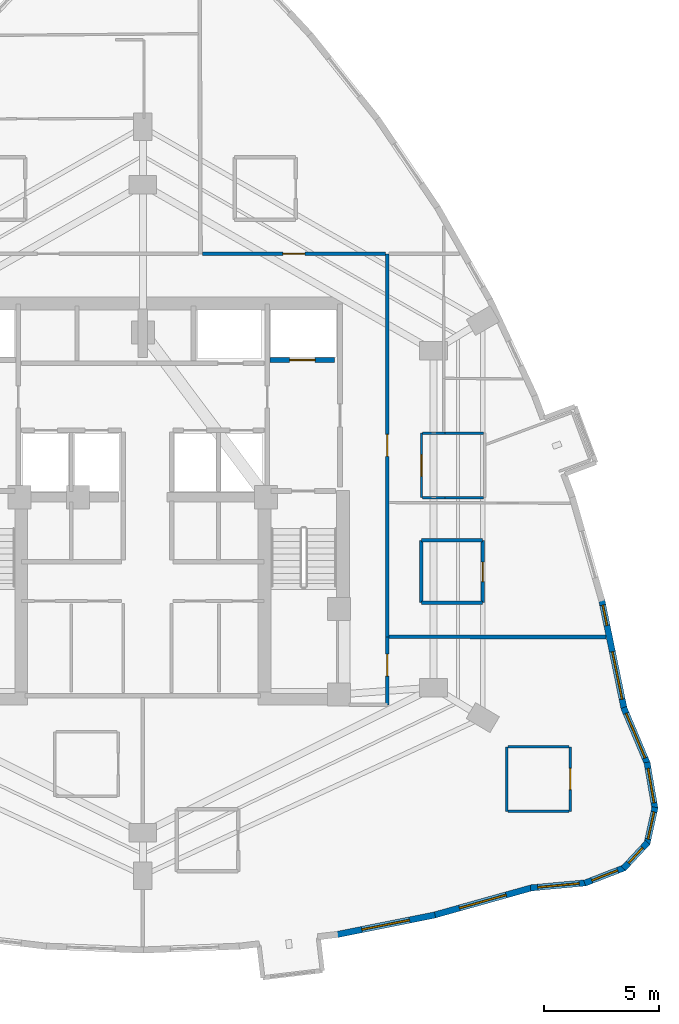
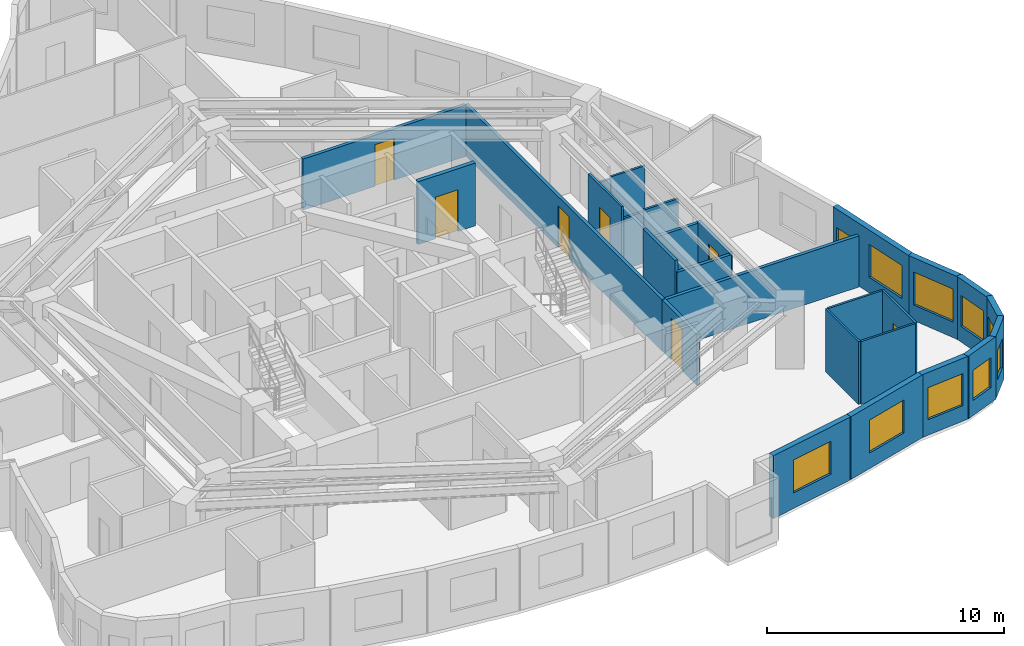
# One storey, part 8 of 11: 27 walls, 10 windows, 7 doors, 17 openings.
"""IFC4 building model written with IfcOpenShell, lengths in metres."""

from ifc_helpers import new_model, si_unit, direction, frame, frame_2d, origin, place, context, subcontext, project, spatial, rectangle, extrude, material, layer, layer_set, type_object, element, fill, save


model = new_model("IFC4")

# Units and contexts
model_context = context("Model", 3, precision=1e-05, world=origin(), true_north=direction((0.0, 1.0)))
body_context = subcontext(model_context, "Body", "Model", "MODEL_VIEW")
ifc_project = project(units=[si_unit("LENGTHUNIT", "METRE"), si_unit("AREAUNIT", "SQUARE_METRE"), si_unit("VOLUMEUNIT", "CUBIC_METRE"), si_unit("PLANEANGLEUNIT", "RADIAN"), si_unit("MASSUNIT", "GRAM", prefix="KILO")], contexts=[model_context])

# Site, building, storey
site_placement = place(None, origin())
site = spatial("IfcSite", under=ifc_project, at=site_placement, CompositionType="ELEMENT")
building_placement = place(site_placement, origin())
building = spatial("IfcBuilding", under=site, at=building_placement, Name="Miruveldt Soraemaru", CompositionType="ELEMENT")
storey_placement = place(building_placement, frame((0.0, 0.0, 100.39990234375)))
storey = spatial("IfcBuildingStorey", under=building, at=storey_placement, Name="L27", CompositionType="ELEMENT", Elevation=100.39990234375)

# Wall, opening, window
ifc_material_1 = material(Name="Precast concrete C45/55 (45 MPa)", Category="concrete")
ifc_layer_1 = layer(ifc_material_1, 0.27001953125, Name="Precast concrete C45/55 (45 MPa)", Category="concrete")
ifc_layer_set_1 = layer_set([ifc_layer_1], Name="Precast concrete C45/55 (45 MPa)")
wall_type_1 = type_object("IfcWallType", Name="WALL-EXT-PC270", PredefinedType="SOLIDWALL", material=ifc_layer_set_1)
wall_1_placement = place(storey_placement, frame((52.388671875, 25.086181640625, 0.0), z_axis=(0.0, 0.0, 1.0), x_axis=(0.980572069577, 0.196159160801, 0.0)))
wall_1 = element("IfcWall", 1, at=wall_1_placement, inside=storey, type_object=wall_type_1, Name="L27 Precast Concrete Facade Wall 27", PredefinedType="SOLIDWALL", context=body_context, shape_type="SweptSolid", body=[
    extrude(rectangle(XDim=4.36474609375, YDim=0.27001953125, at=frame_2d((2.182373046875, 0.0))), origin(), (0.0, 0.0, 1.0), 3.235107421875),
])
opening_1_placement = place(wall_1_placement, frame((1.132080078125, 0.0, 0.800048828125)))
opening_1 = element("IfcOpeningElement", 2, at=opening_1_placement, cuts=wall_1, Name="Opening WN-1", PredefinedType="OPENING", context=body_context, shape_type="SweptSolid", body=[
    extrude(rectangle(XDim=2.10009765625, YDim=1.699951171875, at=frame_2d((1.050048828125, 0.85009765625))), frame((0.0, 0.14501953125, 0.0), z_axis=(0.0, -1.0, 0.0), x_axis=(1.0, 0.0, 0.0)), (0.0, 0.0, 1.0), 0.2900390625),
])
ifc_material_2 = material(Name="Triple low-e insulated glazing", Category="glass")
window_type_1 = type_object("IfcWindowType", Name="WIN-PUNCH-2100x1700", PartitioningType="SINGLE_PANEL", PredefinedType="WINDOW", material=ifc_material_2)
window_1_placement = place(opening_1_placement, origin())
window_1 = element("IfcWindow", 3, at=window_1_placement, inside=storey, type_object=window_type_1, Name="L27 Punched Triple-Glazed Window 27.1", OverallHeight=1.699951171875, OverallWidth=2.10009765625, PartitioningType="SINGLE_PANEL", PredefinedType="WINDOW", context=body_context, shape_type="SweptSolid", body=[
    extrude(rectangle(XDim=2.10009765625, YDim=1.699951171875, at=frame_2d((1.050048828125, 0.85009765625))), frame((0.0, 0.030029296875, 0.0), z_axis=(0.0, -1.0, 0.0), x_axis=(1.0, 0.0, 0.0)), (0.0, 0.0, 1.0), 0.06005859375),
])
fill(opening_1, window_1)

wall_2_placement = place(storey_placement, frame((56.6005859375, 25.926025390625, 0.0), z_axis=(0.0, 0.0, 1.0), x_axis=(0.962968014134, 0.269615659327, 0.0)))
wall_2 = element("IfcWall", 4, at=wall_2_placement, inside=storey, type_object=wall_type_1, Name="L27 Precast Concrete Facade Wall 28", PredefinedType="SOLIDWALL", context=body_context, shape_type="SweptSolid", body=[
    extrude(rectangle(XDim=4.443359375, YDim=0.27001953125, at=frame_2d((2.2216796875, 0.0))), origin(), (0.0, 0.0, 1.0), 3.235107421875),
])
opening_2_placement = place(wall_2_placement, frame((1.1708984375, 0.0, 0.800048828125)))
opening_2 = element("IfcOpeningElement", 5, at=opening_2_placement, cuts=wall_2, Name="Opening WN-1", PredefinedType="OPENING", context=body_context, shape_type="SweptSolid", body=[
    extrude(rectangle(XDim=2.10009765625, YDim=1.699951171875, at=frame_2d((1.050048828125, 0.85009765625))), frame((0.0, 0.14501953125, 0.0), z_axis=(0.0, -1.0, 0.0), x_axis=(1.0, 0.0, 0.0)), (0.0, 0.0, 1.0), 0.2900390625),
])
window_2_placement = place(opening_2_placement, origin())
window_2 = element("IfcWindow", 6, at=window_2_placement, inside=storey, type_object=window_type_1, Name="L27 Punched Triple-Glazed Window 28.1", OverallHeight=1.699951171875, OverallWidth=2.10009765625, PartitioningType="SINGLE_PANEL", PredefinedType="WINDOW", context=body_context, shape_type="SweptSolid", body=[
    extrude(rectangle(XDim=2.10009765625, YDim=1.699951171875, at=frame_2d((1.050048828125, 0.85009765625))), frame((0.0, 0.030029296875, 0.0), z_axis=(0.0, -1.0, 0.0), x_axis=(1.0, 0.0, 0.0)), (0.0, 0.0, 1.0), 0.06005859375),
])
fill(opening_2, window_2)

wall_3_placement = place(storey_placement, frame((60.810791015625, 27.111328125, 0.0), z_axis=(0.0, 0.0, 1.0), x_axis=(0.995766679018, 0.091916924217, 0.0)))
wall_3 = element("IfcWall", 7, at=wall_3_placement, inside=storey, type_object=wall_type_1, Name="L27 Precast Concrete Facade Wall 29", PredefinedType="SOLIDWALL", context=body_context, shape_type="SweptSolid", body=[
    extrude(rectangle(XDim=2.42236328125, YDim=0.27001953125, at=frame_2d((1.211181640625, 0.0))), origin(), (0.0, 0.0, 1.0), 3.235107421875),
])
opening_3_placement = place(wall_3_placement, frame((0.31103515625, 0.0, 0.800048828125)))
opening_3 = element("IfcOpeningElement", 8, at=opening_3_placement, cuts=wall_3, Name="Opening WN-2", PredefinedType="OPENING", context=body_context, shape_type="SweptSolid", body=[
    extrude(rectangle(XDim=1.800048828125, YDim=1.64990234375, at=frame_2d((0.89990234375, 0.824951171875))), frame((0.0, 0.14501953125, 0.0), z_axis=(0.0, -1.0, 0.0), x_axis=(1.0, 0.0, 0.0)), (0.0, 0.0, 1.0), 0.2900390625),
])
window_type_2 = type_object("IfcWindowType", Name="WIN-PUNCH-1800x1650", PartitioningType="SINGLE_PANEL", PredefinedType="WINDOW", material=ifc_material_2)
window_3_placement = place(opening_3_placement, origin())
window_3 = element("IfcWindow", 9, at=window_3_placement, inside=storey, type_object=window_type_2, Name="L27 Punched Triple-Glazed Window 29.1", OverallHeight=1.64990234375, OverallWidth=1.800048828125, PartitioningType="SINGLE_PANEL", PredefinedType="WINDOW", context=body_context, shape_type="SweptSolid", body=[
    extrude(rectangle(XDim=1.800048828125, YDim=1.64990234375, at=frame_2d((0.89990234375, 0.824951171875))), frame((0.0, 0.030029296875, 0.0), z_axis=(0.0, -1.0, 0.0), x_axis=(1.0, 0.0, 0.0)), (0.0, 0.0, 1.0), 0.06005859375),
])
fill(opening_3, window_3)

wall_4_placement = place(storey_placement, frame((63.1552734375, 27.318115234375, 0.0), z_axis=(0.0, 0.0, 1.0), x_axis=(0.932247758565, 0.361820558634, 0.0)))
wall_4 = element("IfcWall", 10, at=wall_4_placement, inside=storey, type_object=wall_type_1, Name="L27 Precast Concrete Facade Wall 30", PredefinedType="SOLIDWALL", context=body_context, shape_type="SweptSolid", body=[
    extrude(rectangle(XDim=1.8642578125, YDim=0.27001953125, at=frame_2d((0.93212890625, 0.0))), origin(), (0.0, 0.0, 1.0), 3.235107421875),
])
opening_4_placement = place(wall_4_placement, frame((0.33203125, 0.0, 0.780029296875)))
opening_4 = element("IfcOpeningElement", 11, at=opening_4_placement, cuts=wall_4, Name="Opening WN-4", PredefinedType="OPENING", context=body_context, shape_type="SweptSolid", body=[
    extrude(rectangle(XDim=1.199951171875, YDim=1.550048828125, at=frame_2d((0.60009765625, 0.77490234375))), frame((0.0, 0.14501953125, 0.0), z_axis=(0.0, -1.0, 0.0), x_axis=(1.0, 0.0, 0.0)), (0.0, 0.0, 1.0), 0.2900390625),
])
window_type_3 = type_object("IfcWindowType", Name="WIN-PUNCH-1200x1550", PartitioningType="SINGLE_PANEL", PredefinedType="WINDOW", material=ifc_material_2)
window_4_placement = place(opening_4_placement, origin())
window_4 = element("IfcWindow", 12, at=window_4_placement, inside=storey, type_object=window_type_3, Name="L27 Punched Triple-Glazed Window 30.1", OverallHeight=1.550048828125, OverallWidth=1.199951171875, PartitioningType="SINGLE_PANEL", PredefinedType="WINDOW", context=body_context, shape_type="SweptSolid", body=[
    extrude(rectangle(XDim=1.199951171875, YDim=1.550048828125, at=frame_2d((0.60009765625, 0.77490234375))), frame((0.0, 0.030029296875, 0.0), z_axis=(0.0, -1.0, 0.0), x_axis=(1.0, 0.0, 0.0)), (0.0, 0.0, 1.0), 0.06005859375),
])
fill(opening_4, window_4)

wall_5_placement = place(storey_placement, frame((64.8369140625, 27.954345703125, 0.0), z_axis=(0.0, 0.0, 1.0), x_axis=(0.680154174704, 0.733069095402, 0.0)))
wall_5 = element("IfcWall", 13, at=wall_5_placement, inside=storey, type_object=wall_type_1, Name="L27 Precast Concrete Facade Wall 31", PredefinedType="SOLIDWALL", context=body_context, shape_type="SweptSolid", body=[
    extrude(rectangle(XDim=1.545654296875, YDim=0.27001953125, at=frame_2d((0.77294921875, 0.0))), origin(), (0.0, 0.0, 1.0), 3.235107421875),
])
opening_5_placement = place(wall_5_placement, frame((0.322998046875, 0.0, 0.780029296875)))
opening_5 = element("IfcOpeningElement", 14, at=opening_5_placement, cuts=wall_5, Name="Opening WN-7", PredefinedType="OPENING", context=body_context, shape_type="SweptSolid", body=[
    extrude(rectangle(XDim=0.89990234375, YDim=1.5, at=frame_2d((0.449951171875, 0.75))), frame((0.0, 0.14501953125, 0.0), z_axis=(0.0, -1.0, 0.0), x_axis=(1.0, 0.0, 0.0)), (0.0, 0.0, 1.0), 0.2900390625),
])
window_type_4 = type_object("IfcWindowType", Name="WIN-PUNCH-900x1500", PartitioningType="SINGLE_PANEL", PredefinedType="WINDOW", material=ifc_material_2)
window_5_placement = place(opening_5_placement, origin())
window_5 = element("IfcWindow", 15, at=window_5_placement, inside=storey, type_object=window_type_4, Name="L27 Punched Triple-Glazed Window 31.1", OverallHeight=1.5, OverallWidth=0.89990234375, PartitioningType="SINGLE_PANEL", PredefinedType="WINDOW", context=body_context, shape_type="SweptSolid", body=[
    extrude(rectangle(XDim=0.89990234375, YDim=1.5, at=frame_2d((0.449951171875, 0.75))), frame((0.0, 0.030029296875, 0.0), z_axis=(0.0, -1.0, 0.0), x_axis=(1.0, 0.0, 0.0)), (0.0, 0.0, 1.0), 0.06005859375),
])
fill(opening_5, window_5)

wall_6_placement = place(storey_placement, frame((65.85693359375, 29.027587890625, 0.0), z_axis=(0.0, 0.0, 1.0), x_axis=(0.215829951382, 0.97643096637, 0.0)))
wall_6 = element("IfcWall", 16, at=wall_6_placement, inside=storey, type_object=wall_type_1, Name="L27 Precast Concrete Facade Wall 32", PredefinedType="SOLIDWALL", context=body_context, shape_type="SweptSolid", body=[
    extrude(rectangle(XDim=1.620849609375, YDim=0.27001953125, at=frame_2d((0.810546875, 0.0))), origin(), (0.0, 0.0, 1.0), 3.235107421875),
])
opening_6_placement = place(wall_6_placement, frame((0.2109375, 0.0, 0.780029296875)))
opening_6 = element("IfcOpeningElement", 17, at=opening_6_placement, cuts=wall_6, Name="Opening WN-4", PredefinedType="OPENING", context=body_context, shape_type="SweptSolid", body=[
    extrude(rectangle(XDim=1.199951171875, YDim=1.550048828125, at=frame_2d((0.60009765625, 0.77490234375))), frame((0.0, 0.14501953125, 0.0), z_axis=(0.0, -1.0, 0.0), x_axis=(1.0, 0.0, 0.0)), (0.0, 0.0, 1.0), 0.2900390625),
])
window_6_placement = place(opening_6_placement, origin())
window_6 = element("IfcWindow", 18, at=window_6_placement, inside=storey, type_object=window_type_3, Name="L27 Punched Triple-Glazed Window 32.1", OverallHeight=1.550048828125, OverallWidth=1.199951171875, PartitioningType="SINGLE_PANEL", PredefinedType="WINDOW", context=body_context, shape_type="SweptSolid", body=[
    extrude(rectangle(XDim=1.199951171875, YDim=1.550048828125, at=frame_2d((0.60009765625, 0.77490234375))), frame((0.0, 0.030029296875, 0.0), z_axis=(0.0, -1.0, 0.0), x_axis=(1.0, 0.0, 0.0)), (0.0, 0.0, 1.0), 0.06005859375),
])
fill(opening_6, window_6)

wall_7_placement = place(storey_placement, frame((66.205078125, 30.54150390625, 0.0), z_axis=(0.0, 0.0, 1.0), x_axis=(-0.169331450477, 0.985559161024, 0.0)))
wall_7 = element("IfcWall", 19, at=wall_7_placement, inside=storey, type_object=wall_type_1, Name="L27 Precast Concrete Facade Wall 33", PredefinedType="SOLIDWALL", context=body_context, shape_type="SweptSolid", body=[
    extrude(rectangle(XDim=2.0458984375, YDim=0.27001953125, at=frame_2d((1.02294921875, 0.0))), origin(), (0.0, 0.0, 1.0), 3.235107421875),
])
opening_7_placement = place(wall_7_placement, frame((0.27294921875, 0.0, 0.800048828125)))
opening_7 = element("IfcOpeningElement", 20, at=opening_7_placement, cuts=wall_7, Name="Opening WN-3", PredefinedType="OPENING", context=body_context, shape_type="SweptSolid", body=[
    extrude(rectangle(XDim=1.5, YDim=1.60009765625, at=frame_2d((0.75, 0.800048828125))), frame((0.0, 0.14501953125, 0.0), z_axis=(0.0, -1.0, 0.0), x_axis=(1.0, 0.0, 0.0)), (0.0, 0.0, 1.0), 0.2900390625),
])
window_type_5 = type_object("IfcWindowType", Name="WIN-PUNCH-1500x1600", PartitioningType="SINGLE_PANEL", PredefinedType="WINDOW", material=ifc_material_2)
window_7_placement = place(opening_7_placement, origin())
window_7 = element("IfcWindow", 21, at=window_7_placement, inside=storey, type_object=window_type_5, Name="L27 Punched Triple-Glazed Window 33.1", OverallHeight=1.60009765625, OverallWidth=1.5, PartitioningType="SINGLE_PANEL", PredefinedType="WINDOW", context=body_context, shape_type="SweptSolid", body=[
    extrude(rectangle(XDim=1.5, YDim=1.60009765625, at=frame_2d((0.75, 0.800048828125))), frame((0.0, 0.030029296875, 0.0), z_axis=(0.0, -1.0, 0.0), x_axis=(1.0, 0.0, 0.0)), (0.0, 0.0, 1.0), 0.06005859375),
])
fill(opening_7, window_7)

wall_8_placement = place(storey_placement, frame((65.878173828125, 32.4912109375, 0.0), z_axis=(0.0, 0.0, 1.0), x_axis=(-0.388669985328, 0.92137703602, 0.0)))
wall_8 = element("IfcWall", 22, at=wall_8_placement, inside=storey, type_object=wall_type_1, Name="L27 Precast Concrete Facade Wall 34", PredefinedType="SOLIDWALL", context=body_context, shape_type="SweptSolid", body=[
    extrude(rectangle(XDim=2.652587890625, YDim=0.27001953125, at=frame_2d((1.326171875, 0.0))), origin(), (0.0, 0.0, 1.0), 3.235107421875),
])
opening_8_placement = place(wall_8_placement, frame((0.27587890625, 0.0, 0.800048828125)))
opening_8 = element("IfcOpeningElement", 23, at=opening_8_placement, cuts=wall_8, Name="Opening WN-1", PredefinedType="OPENING", context=body_context, shape_type="SweptSolid", body=[
    extrude(rectangle(XDim=2.10009765625, YDim=1.699951171875, at=frame_2d((1.050048828125, 0.85009765625))), frame((0.0, 0.14501953125, 0.0), z_axis=(0.0, -1.0, 0.0), x_axis=(1.0, 0.0, 0.0)), (0.0, 0.0, 1.0), 0.2900390625),
])
window_8_placement = place(opening_8_placement, origin())
window_8 = element("IfcWindow", 24, at=window_8_placement, inside=storey, type_object=window_type_1, Name="L27 Punched Triple-Glazed Window 34.1", OverallHeight=1.699951171875, OverallWidth=2.10009765625, PartitioningType="SINGLE_PANEL", PredefinedType="WINDOW", context=body_context, shape_type="SweptSolid", body=[
    extrude(rectangle(XDim=2.10009765625, YDim=1.699951171875, at=frame_2d((1.050048828125, 0.85009765625))), frame((0.0, 0.030029296875, 0.0), z_axis=(0.0, -1.0, 0.0), x_axis=(1.0, 0.0, 0.0)), (0.0, 0.0, 1.0), 0.06005859375),
])
fill(opening_8, window_8)

# Wall, openings, windows
wall_9_placement = place(storey_placement, frame((64.867919921875, 34.868896484375, 0.0), z_axis=(0.0, 0.0, 1.0), x_axis=(-0.201620201383, 0.979463779011, 0.0)))
wall_9 = element("IfcWall", 25, at=wall_9_placement, inside=storey, type_object=wall_type_1, Name="L27 Precast Concrete Facade Wall 35", PredefinedType="SOLIDWALL", context=body_context, shape_type="SweptSolid", body=[
    extrude(rectangle(XDim=4.84228515625, YDim=0.27001953125, at=frame_2d((2.421142578125, 0.0))), origin(), (0.0, 0.0, 1.0), 3.235107421875),
])
opening_9_placement = place(wall_9_placement, frame((0.43701171875, 0.0, 0.800048828125)))
opening_9 = element("IfcOpeningElement", 26, at=opening_9_placement, cuts=wall_9, Name="Opening WN-1", PredefinedType="OPENING", context=body_context, shape_type="SweptSolid", body=[
    extrude(rectangle(XDim=2.10009765625, YDim=1.699951171875, at=frame_2d((1.050048828125, 0.85009765625))), frame((0.0, 0.14501953125, 0.0), z_axis=(0.0, -1.0, 0.0), x_axis=(1.0, 0.0, 0.0)), (0.0, 0.0, 1.0), 0.2900390625),
])
opening_10_placement = place(wall_9_placement, frame((3.698974609375, 0.0, 0.780029296875)))
opening_10 = element("IfcOpeningElement", 27, at=opening_10_placement, cuts=wall_9, Name="Opening WN-7", PredefinedType="OPENING", context=body_context, shape_type="SweptSolid", body=[
    extrude(rectangle(XDim=0.89990234375, YDim=1.5, at=frame_2d((0.449951171875, 0.75))), frame((0.0, 0.14501953125, 0.0), z_axis=(0.0, -1.0, 0.0), x_axis=(1.0, 0.0, 0.0)), (0.0, 0.0, 1.0), 0.2900390625),
])
window_9_placement = place(opening_9_placement, origin())
window_9 = element("IfcWindow", 28, at=window_9_placement, inside=storey, type_object=window_type_1, Name="L27 Punched Triple-Glazed Window 35.1", OverallHeight=1.699951171875, OverallWidth=2.10009765625, PartitioningType="SINGLE_PANEL", PredefinedType="WINDOW", context=body_context, shape_type="SweptSolid", body=[
    extrude(rectangle(XDim=2.10009765625, YDim=1.699951171875, at=frame_2d((1.050048828125, 0.85009765625))), frame((0.0, 0.030029296875, 0.0), z_axis=(0.0, -1.0, 0.0), x_axis=(1.0, 0.0, 0.0)), (0.0, 0.0, 1.0), 0.06005859375),
])
fill(opening_9, window_9)
window_10_placement = place(opening_10_placement, origin())
window_10 = element("IfcWindow", 29, at=window_10_placement, inside=storey, type_object=window_type_4, Name="L27 Punched Triple-Glazed Window 35.2", OverallHeight=1.5, OverallWidth=0.89990234375, PartitioningType="SINGLE_PANEL", PredefinedType="WINDOW", context=body_context, shape_type="SweptSolid", body=[
    extrude(rectangle(XDim=0.89990234375, YDim=1.5, at=frame_2d((0.449951171875, 0.75))), frame((0.0, 0.030029296875, 0.0), z_axis=(0.0, -1.0, 0.0), x_axis=(1.0, 0.0, 0.0)), (0.0, 0.0, 1.0), 0.06005859375),
])
fill(opening_10, window_10)

# Wall, opening, door
ifc_material_3 = material(Name="Gypsum plasterboard lining", Category="gypsum")
ifc_layer_2 = layer(ifc_material_3, 0.10009765625, Name="Gypsum plasterboard lining", Category="gypsum")
ifc_layer_set_2 = layer_set([ifc_layer_2], Name="Gypsum plasterboard lining")
wall_type_2 = type_object("IfcWallType", Name="WALL-INT-P100", PredefinedType="PARTITIONING", material=ifc_layer_set_2)
wall_10_placement = place(storey_placement, frame((62.530029296875, 30.430908203125, 0.0), z_axis=(0.0, 0.0, 1.0), x_axis=(0.0, 1.0, 0.0)))
wall_10 = element("IfcWall", 30, at=wall_10_placement, inside=storey, type_object=wall_type_2, Name="L27 Partition Wall 66", PredefinedType="PARTITIONING", context=body_context, shape_type="SweptSolid", body=[
    extrude(rectangle(XDim=2.800048828125, YDim=0.10009765625, at=frame_2d((1.39990234375, 0.0))), origin(), (0.0, 0.0, 1.0), 3.235107421875),
])
opening_11_placement = place(wall_10_placement, frame((0.93994140625, 0.0, 0.0)))
opening_11 = element("IfcOpeningElement", 31, at=opening_11_placement, cuts=wall_10, Name="Opening D3A", PredefinedType="OPENING", context=body_context, shape_type="SweptSolid", body=[
    extrude(rectangle(XDim=0.919921875, YDim=2.10009765625, at=frame_2d((0.4599609375, 1.050048828125))), frame((0.0, 0.06005859375, 0.0), z_axis=(0.0, -1.0, 0.0), x_axis=(1.0, 0.0, 0.0)), (0.0, 0.0, 1.0), 0.1201171875),
])
ifc_material_4 = material(Name="Anodised aluminium EN AW-6063 T6", Category="aluminium")
door_type_1 = type_object("IfcDoorType", Name="DOOR-INT-920", OperationType="NOTDEFINED", PredefinedType="DOOR", material=ifc_material_4)
door_1_placement = place(opening_11_placement, origin())
door_1 = element("IfcDoor", 32, at=door_1_placement, inside=storey, type_object=door_type_1, Name="L27 Unit CL06 KIT Door", OperationType="SINGLE_SWING_RIGHT", OverallHeight=2.10009765625, OverallWidth=0.919921875, PredefinedType="DOOR", context=body_context, shape_type="SweptSolid", body=[
    extrude(rectangle(XDim=0.919921875, YDim=2.10009765625, at=frame_2d((0.4599609375, 1.050048828125))), frame((0.0, 0.02490234375, 0.0), z_axis=(0.0, -1.0, 0.0), x_axis=(1.0, 0.0, 0.0)), (0.0, 0.0, 1.0), 0.050048828125),
])
fill(opening_11, door_1)

wall_11_placement = place(storey_placement, frame((56.080078125, 46.830078125, 0.0), z_axis=(0.0, 0.0, 1.0), x_axis=(0.0, -1.0, 0.0)))
wall_11 = element("IfcWall", 33, at=wall_11_placement, inside=storey, type_object=wall_type_2, Name="L27 Partition Wall 43", PredefinedType="PARTITIONING", context=body_context, shape_type="SweptSolid", body=[
    extrude(rectangle(XDim=2.800048828125, YDim=0.10009765625, at=frame_2d((1.39990234375, 0.0))), origin(), (0.0, 0.0, 1.0), 3.235107421875),
])
opening_12_placement = place(wall_11_placement, frame((0.93994140625, 0.0, 0.0)))
opening_12 = element("IfcOpeningElement", 34, at=opening_12_placement, cuts=wall_11, Name="Opening D3A", PredefinedType="OPENING", context=body_context, shape_type="SweptSolid", body=[
    extrude(rectangle(XDim=0.919921875, YDim=2.10009765625, at=frame_2d((0.4599609375, 1.050048828125))), frame((0.0, 0.06005859375, 0.0), z_axis=(0.0, -1.0, 0.0), x_axis=(1.0, 0.0, 0.0)), (0.0, 0.0, 1.0), 0.1201171875),
])
door_2_placement = place(opening_12_placement, origin())
door_2 = element("IfcDoor", 35, at=door_2_placement, inside=storey, type_object=door_type_1, Name="L27 Unit 2704 KIT Door", OperationType="SINGLE_SWING_RIGHT", OverallHeight=2.10009765625, OverallWidth=0.919921875, PredefinedType="DOOR", context=body_context, shape_type="SweptSolid", body=[
    extrude(rectangle(XDim=0.919921875, YDim=2.10009765625, at=frame_2d((0.4599609375, 1.050048828125))), frame((0.0, 0.02490234375, 0.0), z_axis=(0.0, -1.0, 0.0), x_axis=(1.0, 0.0, 0.0)), (0.0, 0.0, 1.0), 0.050048828125),
])
fill(opening_12, door_2)

# Walls
wall_12_placement = place(storey_placement, frame((59.780029296875, 33.23095703125, 0.0), z_axis=(0.0, 0.0, 1.0), x_axis=(0.0, -1.0, 0.0)))
element("IfcWall", 36, at=wall_12_placement, inside=storey, type_object=wall_type_2, Name="L27 Partition Wall 68", PredefinedType="PARTITIONING", context=body_context, shape_type="SweptSolid", body=[
    extrude(rectangle(XDim=2.800048828125, YDim=0.10009765625, at=frame_2d((1.39990234375, 0.0))), origin(), (0.0, 0.0, 1.0), 3.235107421875),
])
for number, where, z_axis, x_axis, name in (
    (37, (62.47998046875, 33.23095703125, 0.0), (0.0, 0.0, 1.0), (-1.0, 0.0, 0.0), "L27 Partition Wall 67"),
    (38, (59.830078125, 30.430908203125, 0.0), (0.0, 0.0, 1.0), (1.0, 0.0, 0.0), "L27 Partition Wall 69"),
):
    element("IfcWall", number, at=place(storey_placement, frame(where, z_axis=z_axis, x_axis=x_axis)), inside=storey, type_object=wall_type_2, Name=name, PredefinedType="PARTITIONING", context=body_context, shape_type="SweptSolid", body=[
        extrude(rectangle(XDim=2.64990234375, YDim=0.10009765625, at=frame_2d((1.324951171875, 0.0))), origin(), (0.0, 0.0, 1.0), 3.235107421875),
    ])
for number, where, z_axis, x_axis, name in (
    (39, (57.10009765625, 44.030029296875, 0.0), (0.0, 0.0, 1.0), (1.0, 0.0, 0.0), "L27 Partition Wall 49"),
    (40, (58.780029296875, 46.830078125, 0.0), (0.0, 0.0, 1.0), (-1.0, 0.0, 0.0), "L27 Partition Wall 51"),
):
    element("IfcWall", number, at=place(storey_placement, frame(where, z_axis=z_axis, x_axis=x_axis)), inside=storey, type_object=wall_type_2, Name=name, PredefinedType="PARTITIONING", context=body_context, shape_type="SweptSolid", body=[
        extrude(rectangle(XDim=1.679931640625, YDim=0.10009765625, at=frame_2d((0.83984375, 0.0))), origin(), (0.0, 0.0, 1.0), 2.72314453125),
    ])
for number, where, z_axis, x_axis, name in (
    (41, (57.090087890625, 46.830078125, 0.0), (0.0, 0.0, 1.0), (-1.0, 0.0, 0.0), "L27 Partition Wall 42"),
    (42, (56.1298828125, 44.030029296875, 0.0), (0.0, 0.0, 1.0), (1.0, 0.0, 0.0), "L27 Partition Wall 44"),
):
    element("IfcWall", number, at=place(storey_placement, frame(where, z_axis=z_axis, x_axis=x_axis)), inside=storey, type_object=wall_type_2, Name=name, PredefinedType="PARTITIONING", context=body_context, shape_type="SweptSolid", body=[
        extrude(rectangle(XDim=0.960205078125, YDim=0.10009765625, at=frame_2d((0.47998046875, 0.0))), origin(), (0.0, 0.0, 1.0), 2.635009765625),
    ])

# Wall, opening, door
ifc_layer_3 = layer(ifc_material_3, 0.14990234375, Name="Gypsum plasterboard lining", Category="gypsum")
ifc_layer_set_3 = layer_set([ifc_layer_3], Name="Gypsum plasterboard lining")
wall_type_3 = type_object("IfcWallType", Name="WALL-INT-PLUMB", PredefinedType="PLUMBINGWALL", material=ifc_layer_set_3)
wall_13_placement = place(storey_placement, frame((58.72998046875, 39.47998046875, 0.0), z_axis=(0.0, 0.0, 1.0), x_axis=(0.0, 1.0, 0.0)))
wall_13 = element("IfcWall", 43, at=wall_13_placement, inside=storey, type_object=wall_type_3, Name="L27 Partition Wall 38", PredefinedType="PLUMBINGWALL", context=body_context, shape_type="SweptSolid", body=[
    extrude(rectangle(XDim=2.699951171875, YDim=0.14990234375, at=frame_2d((1.35009765625, 0.0))), origin(), (0.0, 0.0, 1.0), 2.72314453125),
])
opening_13_placement = place(wall_13_placement, frame((0.909912109375, 0.0, 0.0)))
opening_13 = element("IfcOpeningElement", 44, at=opening_13_placement, cuts=wall_13, Name="Opening FD3", PredefinedType="OPENING", context=body_context, shape_type="SweptSolid", body=[
    extrude(rectangle(XDim=0.85009765625, YDim=2.10009765625, at=frame_2d((0.425048828125, 1.050048828125))), frame((0.0, 0.0849609375, 0.0), z_axis=(0.0, -1.0, 0.0), x_axis=(1.0, 0.0, 0.0)), (0.0, 0.0, 1.0), 0.169921875),
])
door_type_2 = type_object("IfcDoorType", Name="DOOR-FD3-850", OperationType="NOTDEFINED", PredefinedType="DOOR", material=ifc_material_4)
door_3_placement = place(opening_13_placement, origin())
door_3 = element("IfcDoor", 45, at=door_3_placement, inside=storey, type_object=door_type_2, Name="L27 Unit 2704 BTH Door", OperationType="SINGLE_SWING_LEFT", OverallHeight=2.10009765625, OverallWidth=0.85009765625, PredefinedType="DOOR", context=body_context, shape_type="SweptSolid", body=[
    extrude(rectangle(XDim=0.85009765625, YDim=2.10009765625, at=frame_2d((0.425048828125, 1.050048828125))), frame((0.0, 0.02490234375, 0.0), z_axis=(0.0, -1.0, 0.0), x_axis=(1.0, 0.0, 0.0)), (0.0, 0.0, 1.0), 0.050048828125),
])
fill(opening_13, door_3)

# Walls
wall_14_placement = place(storey_placement, frame((56.080078125, 42.179931640625, 0.0), z_axis=(0.0, 0.0, 1.0), x_axis=(0.0, -1.0, 0.0)))
element("IfcWall", 46, at=wall_14_placement, inside=storey, type_object=wall_type_3, Name="L27 Partition Wall 40", PredefinedType="PLUMBINGWALL", context=body_context, shape_type="SweptSolid", body=[
    extrude(rectangle(XDim=2.699951171875, YDim=0.14990234375, at=frame_2d((1.35009765625, 0.0))), origin(), (0.0, 0.0, 1.0), 3.235107421875),
])
for number, where, z_axis, x_axis, name in (
    (47, (58.72998046875, 42.179931640625, 0.0), (0.0, 0.0, 1.0), (-1.0, 0.0, 0.0), "L27 Partition Wall 39"),
    (48, (56.080078125, 39.47998046875, 0.0), (0.0, 0.0, 1.0), (1.0, 0.0, 0.0), "L27 Partition Wall 41"),
):
    element("IfcWall", number, at=place(storey_placement, frame(where, z_axis=z_axis, x_axis=x_axis)), inside=storey, type_object=wall_type_3, Name=name, PredefinedType="PLUMBINGWALL", context=body_context, shape_type="SweptSolid", body=[
        extrude(rectangle(XDim=2.64990234375, YDim=0.14990234375, at=frame_2d((1.324951171875, 0.0))), origin(), (0.0, 0.0, 1.0), 2.635009765625),
    ])

# Wall, opening, door
ifc_material_5 = material(Name="Concrete C40/50 (40 MPa)", Category="concrete")
ifc_layer_4 = layer(ifc_material_5, 0.159912109375, Name="Concrete C40/50 (40 MPa)", Category="concrete")
ifc_layer_set_4 = layer_set([ifc_layer_4], Name="Concrete C40/50 (40 MPa)")
wall_type_4 = type_object("IfcWallType", Name="WALL-INT-RC160", PredefinedType="SOLIDWALL", material=ifc_layer_set_4)
wall_15_placement = place(storey_placement, frame((54.60009765625, 38.0, 0.0), z_axis=(0.0, 0.0, 1.0), x_axis=(0.0, 1.0, 0.0)))
wall_15 = element("IfcWall", 49, at=wall_15_placement, inside=storey, type_object=wall_type_4, Name="L27 Partition Wall 4", PredefinedType="SOLIDWALL", context=body_context, shape_type="SweptSolid", body=[
    extrude(rectangle(XDim=16.60009765625, YDim=0.159912109375, at=frame_2d((8.300048828125, 0.0))), origin(), (0.0, 0.0, 1.0), 2.635009765625),
])
opening_14_placement = place(wall_15_placement, frame((7.824951171875, 0.0, 0.0)))
opening_14 = element("IfcOpeningElement", 50, at=opening_14_placement, cuts=wall_15, Name="Opening FD2", PredefinedType="OPENING", context=body_context, shape_type="SweptSolid", body=[
    extrude(rectangle(XDim=0.949951171875, YDim=2.14990234375, at=frame_2d((0.47509765625, 1.074951171875))), frame((0.0, 0.08984375, 0.0), z_axis=(0.0, -1.0, 0.0), x_axis=(1.0, 0.0, 0.0)), (0.0, 0.0, 1.0), 0.179931640625),
])
door_type_3 = type_object("IfcDoorType", Name="DOOR-FD2-950", OperationType="NOTDEFINED", PredefinedType="DOOR", material=ifc_material_4)
door_4_placement = place(opening_14_placement, origin())
door_4 = element("IfcDoor", 51, at=door_4_placement, inside=storey, type_object=door_type_3, Name="L27 Unit 2704 Entrance Fire Door", OperationType="SINGLE_SWING_RIGHT", OverallHeight=2.14990234375, OverallWidth=0.949951171875, PredefinedType="DOOR", context=body_context, shape_type="SweptSolid", body=[
    extrude(rectangle(XDim=0.949951171875, YDim=2.14990234375, at=frame_2d((0.47509765625, 1.074951171875))), frame((0.0, 0.02490234375, 0.0), z_axis=(0.0, -1.0, 0.0), x_axis=(1.0, 0.0, 0.0)), (0.0, 0.0, 1.0), 0.050048828125),
])
fill(opening_14, door_4)

wall_16_placement = place(storey_placement, frame((54.52001953125, 54.60009765625, 0.0), z_axis=(0.0, 0.0, 1.0), x_axis=(-1.0, 0.0, 0.0)))
wall_16 = element("IfcWall", 52, at=wall_16_placement, inside=storey, type_object=wall_type_4, Name="L27 Partition Wall 2", PredefinedType="SOLIDWALL", context=body_context, shape_type="SweptSolid", body=[
    extrude(rectangle(XDim=7.93994140625, YDim=0.159912109375, at=frame_2d((3.969970703125, 0.0))), origin(), (0.0, 0.0, 1.0), 2.635009765625),
])
opening_15_placement = place(wall_16_placement, frame((3.4951171875, 0.0, 0.0)))
opening_15 = element("IfcOpeningElement", 53, at=opening_15_placement, cuts=wall_16, Name="Opening FD2", PredefinedType="OPENING", context=body_context, shape_type="SweptSolid", body=[
    extrude(rectangle(XDim=0.949951171875, YDim=2.14990234375, at=frame_2d((0.47509765625, 1.074951171875))), frame((0.0, 0.08984375, 0.0), z_axis=(0.0, -1.0, 0.0), x_axis=(1.0, 0.0, 0.0)), (0.0, 0.0, 1.0), 0.179931640625),
])
door_5_placement = place(opening_15_placement, origin())
door_5 = element("IfcDoor", 54, at=door_5_placement, inside=storey, type_object=door_type_3, Name="L27 Unit CL02 Entrance Fire Door", OperationType="SINGLE_SWING_RIGHT", OverallHeight=2.14990234375, OverallWidth=0.949951171875, PredefinedType="DOOR", context=body_context, shape_type="SweptSolid", body=[
    extrude(rectangle(XDim=0.949951171875, YDim=2.14990234375, at=frame_2d((0.47509765625, 1.074951171875))), frame((0.0, 0.02490234375, 0.0), z_axis=(0.0, -1.0, 0.0), x_axis=(1.0, 0.0, 0.0)), (0.0, 0.0, 1.0), 0.050048828125),
])
fill(opening_15, door_5)

wall_17_placement = place(storey_placement, frame((54.60009765625, 35.050048828125, 0.0), z_axis=(0.0, 0.0, 1.0), x_axis=(0.0, 1.0, 0.0)))
wall_17 = element("IfcWall", 55, at=wall_17_placement, inside=storey, type_object=wall_type_4, Name="L27 Partition Wall 8", PredefinedType="SOLIDWALL", context=body_context, shape_type="SweptSolid", body=[
    extrude(rectangle(XDim=2.947021484375, YDim=0.159912109375, at=frame_2d((1.4736328125, 0.0))), origin(), (0.0, 0.0, 1.0), 2.635009765625),
])
opening_16_placement = place(wall_17_placement, frame((1.2490234375, 0.0, 0.0)))
opening_16 = element("IfcOpeningElement", 56, at=opening_16_placement, cuts=wall_17, Name="Opening FD2", PredefinedType="OPENING", context=body_context, shape_type="SweptSolid", body=[
    extrude(rectangle(XDim=0.949951171875, YDim=2.14990234375, at=frame_2d((0.47509765625, 1.074951171875))), frame((0.0, 0.08984375, 0.0), z_axis=(0.0, -1.0, 0.0), x_axis=(1.0, 0.0, 0.0)), (0.0, 0.0, 1.0), 0.179931640625),
])
door_6_placement = place(opening_16_placement, origin())
door_6 = element("IfcDoor", 57, at=door_6_placement, inside=storey, type_object=door_type_3, Name="L27 Unit CL06 Entrance Fire Door", OperationType="SINGLE_SWING_RIGHT", OverallHeight=2.14990234375, OverallWidth=0.949951171875, PredefinedType="DOOR", context=body_context, shape_type="SweptSolid", body=[
    extrude(rectangle(XDim=0.949951171875, YDim=2.14990234375, at=frame_2d((0.47509765625, 1.074951171875))), frame((0.0, 0.02490234375, 0.0), z_axis=(0.0, -1.0, 0.0), x_axis=(1.0, 0.0, 0.0)), (0.0, 0.0, 1.0), 0.050048828125),
])
fill(opening_16, door_6)

# Wall
wall_18_placement = place(storey_placement, frame((54.68310546875, 38.0, 0.0), z_axis=(0.0, 0.0, 1.0), x_axis=(0.999999050533, -0.001378017984, 0.0)))
element("IfcWall", 58, at=wall_18_placement, inside=storey, type_object=wall_type_4, Name="L27 Partition Wall 48", PredefinedType="SOLIDWALL", context=body_context, shape_type="SweptSolid", body=[
    extrude(rectangle(XDim=9.389892578125, YDim=0.159912109375, at=frame_2d((4.69482421875, 0.0))), origin(), (0.0, 0.0, 1.0), 2.635009765625),
])

# Wall, opening, door
ifc_layer_5 = layer(ifc_material_5, 0.199951171875, Name="Concrete C40/50 (40 MPa)", Category="concrete")
ifc_layer_set_5 = layer_set([ifc_layer_5], Name="Concrete C40/50 (40 MPa)")
wall_type_5 = type_object("IfcWallType", Name="WALL-INT-RC200", PredefinedType="SOLIDWALL", material=ifc_layer_set_5)
wall_19_placement = place(storey_placement, frame((49.52001953125, 50.0, 0.0), z_axis=(0.0, 0.0, 1.0), x_axis=(1.0, 0.0, 0.0)))
wall_19 = element("IfcWall", 59, at=wall_19_placement, inside=storey, type_object=wall_type_5, Name="L27 Core Compartment Wall FFL2-S", PredefinedType="SOLIDWALL", context=body_context, shape_type="SweptSolid", body=[
    extrude(rectangle(XDim=2.800048828125, YDim=0.199951171875, at=frame_2d((1.39990234375, 0.0))), origin(), (0.0, 0.0, 1.0), 3.235107421875),
])
opening_17_placement = place(wall_19_placement, frame((0.85009765625, 0.0, 0.0)))
opening_17 = element("IfcOpeningElement", 60, at=opening_17_placement, cuts=wall_19, Name="Opening LD2", PredefinedType="OPENING", context=body_context, shape_type="SweptSolid", body=[
    extrude(rectangle(XDim=1.10009765625, YDim=2.14990234375, at=frame_2d((0.550048828125, 1.074951171875))), frame((0.0, 0.10986328125, 0.0), z_axis=(0.0, -1.0, 0.0), x_axis=(1.0, 0.0, 0.0)), (0.0, 0.0, 1.0), 0.219970703125),
])
door_type_4 = type_object("IfcDoorType", Name="DOOR-LD2-1100", OperationType="SLIDING_TO_LEFT", PredefinedType="DOOR", material=ifc_material_4)
door_7_placement = place(opening_17_placement, origin())
door_7 = element("IfcDoor", 61, at=door_7_placement, inside=storey, type_object=door_type_4, Name="L27 FFL-2 Landing Door", OperationType="SLIDING_TO_LEFT", OverallHeight=2.14990234375, OverallWidth=1.10009765625, PredefinedType="DOOR", context=body_context, shape_type="SweptSolid", body=[
    extrude(rectangle(XDim=1.10009765625, YDim=2.14990234375, at=frame_2d((0.550048828125, 1.074951171875))), frame((0.0, 0.02490234375, 0.0), z_axis=(0.0, -1.0, 0.0), x_axis=(1.0, 0.0, 0.0)), (0.0, 0.0, 1.0), 0.050048828125),
])
fill(opening_17, door_7)

save(model, "model.ifc")
